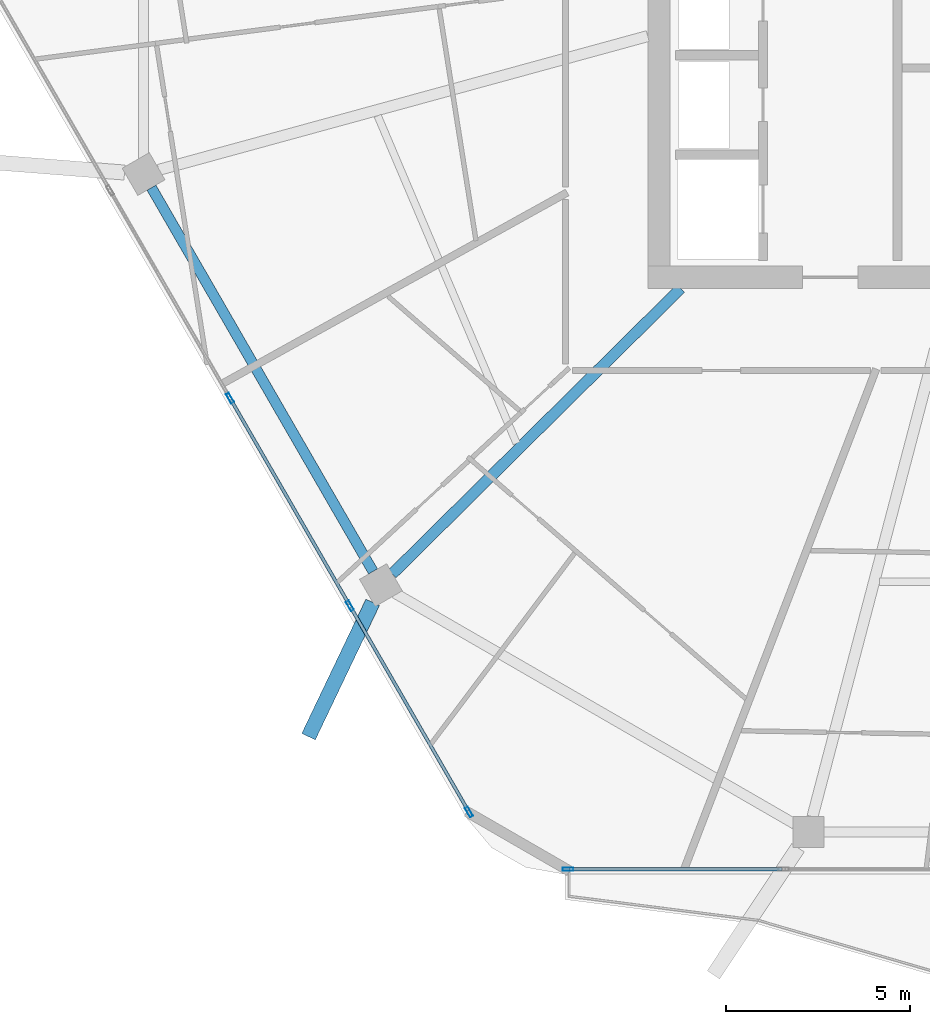
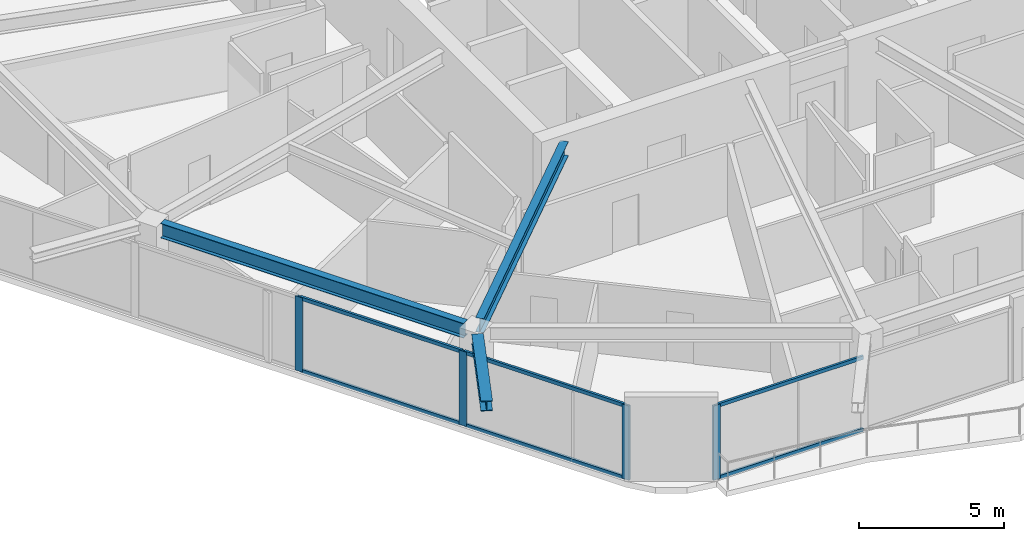
# One storey, part 2 of 26: 10 members, 3 beams, 2 elements without a shape of their own.
"""IFC4 building model written with IfcOpenShell, lengths in metres."""

from ifc_helpers import new_model, si_unit, direction, frame, origin, origin_2d, place, context, subcontext, project, spatial, hollow_rectangle, i_section, extrude, material, material_profile, profile_set, type_object, element, aggregate, save


model = new_model("IFC4")

# Units and contexts
model_context = context("Model", 3, precision=1e-05, world=origin(), true_north=direction((0.0, 1.0)))
body_context = subcontext(model_context, "Body", "Model", "MODEL_VIEW")
ifc_project = project(units=[si_unit("LENGTHUNIT", "METRE"), si_unit("AREAUNIT", "SQUARE_METRE"), si_unit("VOLUMEUNIT", "CUBIC_METRE"), si_unit("PLANEANGLEUNIT", "RADIAN"), si_unit("MASSUNIT", "GRAM", prefix="KILO")], contexts=[model_context])

# Site, building, storey
site_placement = place(None, origin())
site = spatial("IfcSite", under=ifc_project, at=site_placement, CompositionType="ELEMENT")
building_placement = place(site_placement, origin())
building = spatial("IfcBuilding", under=site, at=building_placement, Name="Zuhravey Tower", CompositionType="ELEMENT")
storey_placement = place(building_placement, frame((0.0, 0.0, 288.199951171875)))
storey = spatial("IfcBuildingStorey", under=building, at=storey_placement, Name="L73", CompositionType="ELEMENT", Elevation=288.199951171875)

# Curtain wall, member
ifc_material_1 = material(Name="Thermally broken anodised aluminium", Category="aluminium")
curtain_wall_type = type_object("IfcCurtainWallType", Name="Zone 3-4 High-Rise Curtain Wall CW4", PredefinedType="NOTDEFINED", material=ifc_material_1)
curtain_wall_1_placement = place(storey_placement, origin())
curtain_wall_1 = element("IfcCurtainWall", 1, at=curtain_wall_1_placement, inside=storey, type_object=curtain_wall_type, Name="L73 CW4 CW-L73-F5-2", PredefinedType="NOTDEFINED")
ifc_material_2 = material(Name="Anodised aluminium", Category="aluminium")
ifc_material_profile_1 = material_profile(ifc_material_2, hollow_rectangle(XDim=0.090087890625, YDim=0.284912109375, WallThickness=0.0048828125, at=origin_2d()), Name="ALU-RHS-90x285x5")
ifc_profile_set_1 = profile_set([ifc_material_profile_1], Name="Anodised aluminium")
member_type_1 = type_object("IfcMemberType", Name="Curtain-Wall Mullion 90x180", PredefinedType="MULLION", material=ifc_profile_set_1)
member_1_placement = place(storey_placement, frame((23.0322265625, 6.436279296875, 0.0), z_axis=(0.0, 0.0, 1.0), x_axis=(0.0, -1.0, 0.0)))
member_1 = element("IfcMember", 2, at=member_1_placement, type_object=member_type_1, Name="CW4 mullion 3", PredefinedType="MULLION", context=body_context, shape_type="SweptSolid", body=[
    extrude(hollow_rectangle(XDim=0.090087890625, YDim=0.284912109375, WallThickness=0.0048828125, at=origin_2d()), origin(), (0.0, 0.0, 1.0), 3.1220703125),
])

# Curtain wall, members
curtain_wall_2_placement = place(storey_placement, origin())
curtain_wall_2 = element("IfcCurtainWall", 3, at=curtain_wall_2_placement, inside=storey, type_object=curtain_wall_type, Name="L73 CW4 CW-L73-F4-1", PredefinedType="NOTDEFINED")
member_2_placement = place(storey_placement, frame((20.34521484375, 7.98779296875, 0.0), z_axis=(0.0, 0.0, 1.0), x_axis=(-0.866024851021, -0.500000957414, 0.0)))
member_2 = element("IfcMember", 4, at=member_2_placement, type_object=member_type_1, Name="CW4 mullion 1", PredefinedType="MULLION", context=body_context, shape_type="SweptSolid", body=[
    extrude(hollow_rectangle(XDim=0.090087890625, YDim=0.284912109375, WallThickness=0.0048828125, at=origin_2d()), origin(), (0.0, 0.0, 1.0), 3.1220703125),
])
member_3_placement = place(storey_placement, frame((17.114501953125, 13.58349609375, 0.0), z_axis=(0.0, 0.0, 1.0), x_axis=(-0.866024851021, -0.500000957414, 0.0)))
member_3 = element("IfcMember", 5, at=member_3_placement, type_object=member_type_1, Name="CW4 mullion 2", PredefinedType="MULLION", context=body_context, shape_type="SweptSolid", body=[
    extrude(hollow_rectangle(XDim=0.090087890625, YDim=0.284912109375, WallThickness=0.0048828125, at=origin_2d()), origin(), (0.0, 0.0, 1.0), 3.1220703125),
])
member_4_placement = place(storey_placement, frame((13.861328125, 19.21826171875, 0.0), z_axis=(0.0, 0.0, 1.0), x_axis=(-0.866024851021, -0.500000957414, 0.0)))
member_4 = element("IfcMember", 6, at=member_4_placement, type_object=member_type_1, Name="CW4 mullion 3", PredefinedType="MULLION", context=body_context, shape_type="SweptSolid", body=[
    extrude(hollow_rectangle(XDim=0.090087890625, YDim=0.284912109375, WallThickness=0.0048828125, at=origin_2d()), origin(), (0.0, 0.0, 1.0), 3.1220703125),
])

# Member
ifc_material_profile_2 = material_profile(ifc_material_2, hollow_rectangle(XDim=0.090087890625, YDim=0.14990234375, WallThickness=0.0048828125, at=origin_2d()), Name="ALU-RHS-90x150x5")
ifc_profile_set_2 = profile_set([ifc_material_profile_2], Name="Anodised aluminium")
member_type_2 = type_object("IfcMemberType", Name="Curtain-Wall Transom 90x150", PredefinedType="USERDEFINED", material=ifc_profile_set_2)
member_5_placement = place(storey_placement, frame((28.841796875, 6.436279296875, 0.045166015625), z_axis=(-1.0, 0.0, 0.0), x_axis=(0.0, -1.0, 0.0)))
member_5 = element("IfcMember", 7, at=member_5_placement, type_object=member_type_2, Name="CW4 transom 2.1", ObjectType="TRANSOM", PredefinedType="USERDEFINED", context=body_context, shape_type="SweptSolid", body=[
    extrude(hollow_rectangle(XDim=0.090087890625, YDim=0.14990234375, WallThickness=0.0048828125, at=origin_2d()), origin(), (0.0, 0.0, 1.0), 5.764404296875),
])

member_6_placement = place(storey_placement, frame((28.841796875, 6.436279296875, 3.0771484375), z_axis=(-1.0, 0.0, 0.0), x_axis=(0.0, -1.0, 0.0)))
member_6 = element("IfcMember", 8, at=member_6_placement, type_object=member_type_2, Name="CW4 transom 2.2", ObjectType="TRANSOM", PredefinedType="USERDEFINED", context=body_context, shape_type="SweptSolid", body=[
    extrude(hollow_rectangle(XDim=0.090087890625, YDim=0.14990234375, WallThickness=0.0048828125, at=origin_2d()), origin(), (0.0, 0.0, 1.0), 5.764404296875),
])

aggregate(curtain_wall_1, [member_1, member_5, member_6])

member_7_placement = place(storey_placement, frame((20.322509765625, 8.02685546875, 0.045166015625), z_axis=(-0.499980071345, 0.866036909293, 0.0), x_axis=(-0.866036909293, -0.499980071345, 0.0)))
member_7 = element("IfcMember", 9, at=member_7_placement, type_object=member_type_2, Name="CW4 transom 1.1", ObjectType="TRANSOM", PredefinedType="USERDEFINED", context=body_context, shape_type="SweptSolid", body=[
    extrude(hollow_rectangle(XDim=0.090087890625, YDim=0.14990234375, WallThickness=0.0048828125, at=origin_2d()), origin(), (0.0, 0.0, 1.0), 6.371337890625),
])

member_8_placement = place(storey_placement, frame((20.322509765625, 8.02685546875, 3.0771484375), z_axis=(-0.499980071345, 0.866036909293, 0.0), x_axis=(-0.866036909293, -0.499980071345, 0.0)))
member_8 = element("IfcMember", 10, at=member_8_placement, type_object=member_type_2, Name="CW4 transom 1.2", ObjectType="TRANSOM", PredefinedType="USERDEFINED", context=body_context, shape_type="SweptSolid", body=[
    extrude(hollow_rectangle(XDim=0.090087890625, YDim=0.14990234375, WallThickness=0.0048828125, at=origin_2d()), origin(), (0.0, 0.0, 1.0), 6.371337890625),
])

member_9_placement = place(storey_placement, frame((17.092041015625, 13.62255859375, 0.045166015625), z_axis=(-0.500014493347, 0.866017035885, 0.0), x_axis=(-0.866017035885, -0.500014493347, 0.0)))
member_9 = element("IfcMember", 11, at=member_9_placement, type_object=member_type_2, Name="CW4 transom 2.1", ObjectType="TRANSOM", PredefinedType="USERDEFINED", context=body_context, shape_type="SweptSolid", body=[
    extrude(hollow_rectangle(XDim=0.090087890625, YDim=0.14990234375, WallThickness=0.0048828125, at=origin_2d()), origin(), (0.0, 0.0, 1.0), 6.416259765625),
])

member_10_placement = place(storey_placement, frame((17.092041015625, 13.62255859375, 3.0771484375), z_axis=(-0.500014493347, 0.866017035885, 0.0), x_axis=(-0.866017035885, -0.500014493347, 0.0)))
member_10 = element("IfcMember", 12, at=member_10_placement, type_object=member_type_2, Name="CW4 transom 2.2", ObjectType="TRANSOM", PredefinedType="USERDEFINED", context=body_context, shape_type="SweptSolid", body=[
    extrude(hollow_rectangle(XDim=0.090087890625, YDim=0.14990234375, WallThickness=0.0048828125, at=origin_2d()), origin(), (0.0, 0.0, 1.0), 6.416259765625),
])

aggregate(curtain_wall_2, [member_2, member_3, member_4, member_7, member_8, member_9, member_10])

# Beams
ifc_material_3 = material(Name="Steel SM460", Category="steel")
ifc_material_profile_3 = material_profile(ifc_material_3, i_section(OverallWidth=0.406982421875, OverallDepth=0.427978515625, WebThickness=0.02001953125, FlangeThickness=0.034912109375, at=origin_2d()), Name="H-428x407x20x35")
ifc_profile_set_3 = profile_set([ifc_material_profile_3], Name="Steel SM460")
beam_type_1 = type_object("IfcBeamType", Name="Exoskeleton Node Tie Beam H428x407", PredefinedType="BEAM", material=ifc_profile_set_3)
beam_1_placement = place(storey_placement, frame((17.732421875, 13.676513671875, 3.3359375), z_axis=(-0.430986955836, -0.902358157219, 0.0), x_axis=(0.902358157219, -0.430986955836, 0.0)))
element("IfcBeam", 13, at=beam_1_placement, inside=storey, type_object=beam_type_1, Name="L73 Exoskeleton Node Tie NT1-08", PredefinedType="BEAM", context=body_context, shape_type="SweptSolid", body=[
    extrude(i_section(OverallWidth=0.406982421875, OverallDepth=0.427978515625, WebThickness=0.02001953125, FlangeThickness=0.034912109375, at=origin_2d()), origin(), (0.0, 0.0, 1.0), 4.038330078125),
])
ifc_material_4 = material(Name="Steel SM355", Category="steel")
ifc_material_profile_4 = material_profile(ifc_material_4, i_section(OverallWidth=0.280029296875, OverallDepth=0.6201171875, WebThickness=0.011962890625, FlangeThickness=0.02001953125, at=origin_2d()), Name="H-620x280x12x20")
ifc_profile_set_4 = profile_set([ifc_material_profile_4], Name="Steel SM355")
beam_type_2 = type_object("IfcBeamType", Name="Perimeter Ring Beam H620x280", PredefinedType="BEAM", material=ifc_profile_set_4)
beam_2_placement = place(storey_placement, frame((11.7294921875, 24.930419921875, 3.239990234375), z_axis=(0.500005971936, -0.866021955858, 0.0), x_axis=(0.866021955858, 0.500005971936, 0.0)))
element("IfcBeam", 14, at=beam_2_placement, inside=storey, type_object=beam_type_2, Name="L73 PB3 BM-L73-PB-07", PredefinedType="BEAM", context=body_context, shape_type="SweptSolid", body=[
    extrude(i_section(OverallWidth=0.280029296875, OverallDepth=0.6201171875, WebThickness=0.011962890625, FlangeThickness=0.02001953125, at=origin_2d()), origin(), (0.0, 0.0, 1.0), 12.025634765625),
])
ifc_material_profile_5 = material_profile(ifc_material_4, i_section(OverallWidth=0.300048828125, OverallDepth=0.60009765625, WebThickness=0.011962890625, FlangeThickness=0.02001953125, at=origin_2d()), Name="H-600x300x12x20")
ifc_profile_set_5 = profile_set([ifc_material_profile_5], Name="Steel SM355")
beam_type_3 = type_object("IfcBeamType", Name="Radial Primary Girder H600x300", PredefinedType="BEAM", material=ifc_profile_set_5)
beam_3_placement = place(storey_placement, frame((26.09326171875, 22.197021484375, 3.25), z_axis=(-0.710808169267, -0.70338591577, 0.0), x_axis=(0.70338591577, -0.710808169267, 0.0)))
element("IfcBeam", 15, at=beam_3_placement, inside=storey, type_object=beam_type_3, Name="L73 RG3 BM-L73-RAD-08", PredefinedType="BEAM", context=body_context, shape_type="SweptSolid", body=[
    extrude(i_section(OverallWidth=0.300048828125, OverallDepth=0.60009765625, WebThickness=0.011962890625, FlangeThickness=0.02001953125, at=origin_2d()), origin(), (0.0, 0.0, 1.0), 11.019287109375),
])

save(model, "model.ifc")
